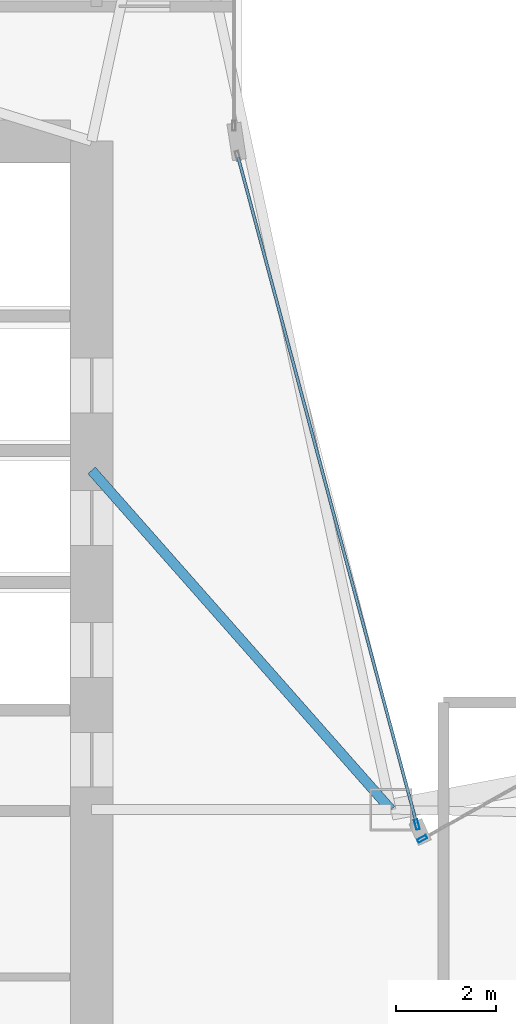
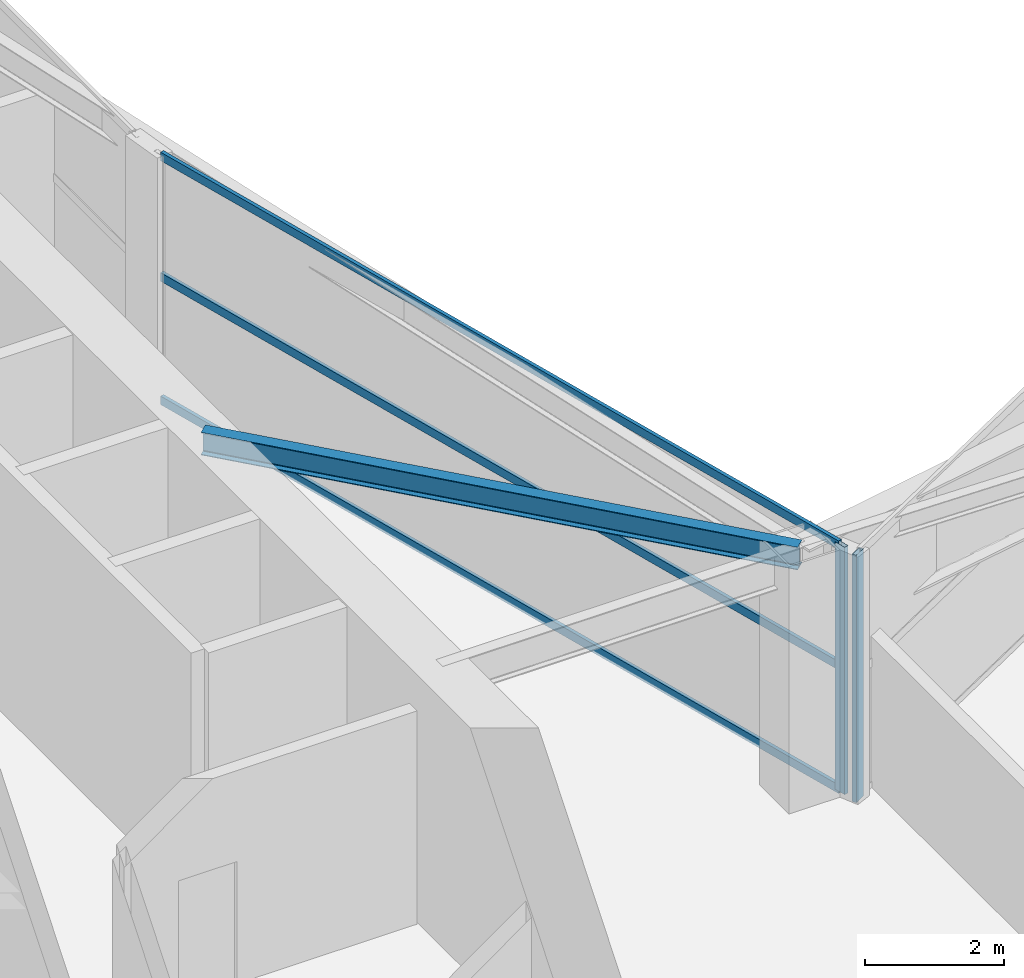
# One storey, part 2 of 17: 5 members, 1 beam, 2 elements without a shape of their own.
"""IFC4 building model written with IfcOpenShell, lengths in metres."""

from ifc_helpers import new_model, si_unit, direction, frame, origin, origin_2d, place, context, subcontext, project, spatial, hollow_rectangle, i_section, extrude, material, layer, layer_set, material_profile, profile_set, type_object, element, aggregate, save


model = new_model("IFC4")

# Units and contexts
model_context = context("Model", 3, precision=1e-05, world=origin(), true_north=direction((0.0, 1.0)))
body_context = subcontext(model_context, "Body", "Model", "MODEL_VIEW")
ifc_project = project(units=[si_unit("LENGTHUNIT", "METRE"), si_unit("AREAUNIT", "SQUARE_METRE"), si_unit("VOLUMEUNIT", "CUBIC_METRE"), si_unit("PLANEANGLEUNIT", "RADIAN"), si_unit("MASSUNIT", "GRAM", prefix="KILO")], contexts=[model_context])

# Site, building, storey
site_placement = place(None, origin())
site = spatial("IfcSite", under=ifc_project, at=site_placement, CompositionType="ELEMENT")
building_placement = place(site_placement, origin())
building = spatial("IfcBuilding", under=site, at=building_placement, Name="Calvorn Quay Hotel", CompositionType="ELEMENT")
storey_placement = place(building_placement, frame((0.0, 0.0, 186.5)))
storey = spatial("IfcBuildingStorey", under=building, at=storey_placement, Name="L46", CompositionType="ELEMENT", Elevation=186.5)

# Beam
ifc_material_1 = material(Name="Steel Q355B", Category="steel")
ifc_material_profile_1 = material_profile(ifc_material_1, i_section(OverallWidth=0.199951171875, OverallDepth=0.39990234375, WebThickness=0.008056640625, FlangeThickness=0.012939453125, FilletRadius=0.01611328125, at=origin_2d()), Name="HN400x200x8x13")
ifc_profile_set_1 = profile_set([ifc_material_profile_1], Name="Steel Q355B")
beam_type = type_object("IfcBeamType", Name="BM-JOIST-TYP", PredefinedType="JOIST", material=ifc_profile_set_1)
beam_placement = place(storey_placement, frame((15.0, 31.800048828125, 4.14990234375), z_axis=(0.661618965899, -0.749840212287, 0.0), x_axis=(0.749840212287, 0.661618965899, 0.0)))
element("IfcBeam", 1, at=beam_placement, inside=storey, type_object=beam_type, Name="Beam BJ-L46-C1", PredefinedType="JOIST", context=body_context, shape_type="SweptSolid", body=[
    extrude(i_section(OverallWidth=0.199951171875, OverallDepth=0.39990234375, WebThickness=0.008056640625, FlangeThickness=0.012939453125, FilletRadius=0.01611328125, at=origin_2d()), origin(), (0.0, 0.0, 1.0), 9.068603515625),
])

# Curtain wall, member
ifc_material_2 = material(Name="Pale Anodised Aluminium and Low-E Glass", Category="aluminium")
ifc_layer = layer(ifc_material_2, 0.219970703125)
ifc_layer_set = layer_set([ifc_layer], Name="CW-SYS-Z2")
curtain_wall_type = type_object("IfcCurtainWallType", Name="CW-SYS-Z2", PredefinedType="NOTDEFINED", material=ifc_layer_set)
curtain_wall_1_placement = place(storey_placement, origin())
curtain_wall_1 = element("IfcCurtainWall", 2, at=curtain_wall_1_placement, inside=storey, type_object=curtain_wall_type, Name="Inner Court Curtain Wall L46-NE1", PredefinedType="NOTDEFINED")
ifc_material_3 = material(Name="Pale Anodised Aluminium 6063-T6", Category="aluminium")
ifc_material_profile_2 = material_profile(ifc_material_3, hollow_rectangle(XDim=0.070068359375, YDim=0.199951171875, WallThickness=0.00390625, at=origin_2d()), Name="ALU-M200x70x4")
ifc_profile_set_2 = profile_set([ifc_material_profile_2], Name="Pale Anodised Aluminium 6063-T6")
member_type_1 = type_object("IfcMemberType", Name="CW-SYS-Z2-MUL", PredefinedType="MULLION", material=ifc_profile_set_2)
member_1_placement = place(storey_placement, frame((21.626220703125, 24.41455078125, 0.0), z_axis=(0.0, 0.0, 1.0), x_axis=(0.486858256224, -0.873480989116, 0.0)))
member_1 = element("IfcMember", 3, at=member_1_placement, type_object=member_type_1, Name="CW-L46-NE1 mullion 4", PredefinedType="MULLION", context=body_context, shape_type="SweptSolid", body=[
    extrude(hollow_rectangle(XDim=0.070068359375, YDim=0.199951171875, WallThickness=0.00390625, at=origin_2d()), origin(), (0.0, 0.0, 1.0), 4.35009765625),
])
aggregate(curtain_wall_1, [member_1])

# Curtain wall, members
curtain_wall_2_placement = place(storey_placement, origin())
curtain_wall_2 = element("IfcCurtainWall", 4, at=curtain_wall_2_placement, inside=storey, type_object=curtain_wall_type, Name="Inner Court Curtain Wall L46-IC1", PredefinedType="NOTDEFINED")
member_2_placement = place(storey_placement, frame((21.520263671875, 24.698974609375, 0.0), z_axis=(0.0, 0.0, 1.0), x_axis=(-0.96593652056, -0.25877913024, 0.0)))
member_2 = element("IfcMember", 5, at=member_2_placement, type_object=member_type_1, Name="CW-L46-IC1 mullion 1", PredefinedType="MULLION", context=body_context, shape_type="SweptSolid", body=[
    extrude(hollow_rectangle(XDim=0.070068359375, YDim=0.199951171875, WallThickness=0.00390625, at=origin_2d()), origin(), (0.0, 0.0, 1.0), 4.35009765625),
])
ifc_material_4 = material(Name="Pale Anodised Aluminium 6063-T6", Category="aluminium")
ifc_material_profile_3 = material_profile(ifc_material_4, hollow_rectangle(XDim=0.06005859375, YDim=0.14990234375, WallThickness=0.00341796875, at=origin_2d()), Name="ALU-T150x60x3.5")
ifc_profile_set_3 = profile_set([ifc_material_profile_3], Name="Pale Anodised Aluminium 6063-T6")
member_type_2 = type_object("IfcMemberType", Name="CW-SYS-Z2-TRN", PredefinedType="USERDEFINED", material=ifc_profile_set_3)
member_3_placement = place(storey_placement, frame((21.512451171875, 24.72802734375, 0.030029296875), z_axis=(-0.258781136883, 0.965935982969, 0.0), x_axis=(-0.965935982969, -0.258781136883, 0.0)))
member_3 = element("IfcMember", 6, at=member_3_placement, type_object=member_type_2, Name="CW-L46-IC1 transom 1.1", ObjectType="TRANSOM", PredefinedType="USERDEFINED", context=body_context, shape_type="SweptSolid", body=[
    extrude(hollow_rectangle(XDim=0.06005859375, YDim=0.14990234375, WallThickness=0.00341796875, at=origin_2d()), origin(), (0.0, 0.0, 1.0), 13.814453125),
])
member_4_placement = place(storey_placement, frame((21.512451171875, 24.72802734375, 2.199951171875), z_axis=(-0.258781136883, 0.965935982969, 0.0), x_axis=(-0.965935982969, -0.258781136883, 0.0)))
member_4 = element("IfcMember", 7, at=member_4_placement, type_object=member_type_2, Name="CW-L46-IC1 transom 1.2", ObjectType="TRANSOM", PredefinedType="USERDEFINED", context=body_context, shape_type="SweptSolid", body=[
    extrude(hollow_rectangle(XDim=0.06005859375, YDim=0.14990234375, WallThickness=0.00341796875, at=origin_2d()), origin(), (0.0, 0.0, 1.0), 13.814453125),
])
member_5_placement = place(storey_placement, frame((21.512451171875, 24.72802734375, 4.320068359375), z_axis=(-0.258781136883, 0.965935982969, 0.0), x_axis=(-0.965935982969, -0.258781136883, 0.0)))
member_5 = element("IfcMember", 8, at=member_5_placement, type_object=member_type_2, Name="CW-L46-IC1 transom 1.3", ObjectType="TRANSOM", PredefinedType="USERDEFINED", context=body_context, shape_type="SweptSolid", body=[
    extrude(hollow_rectangle(XDim=0.06005859375, YDim=0.14990234375, WallThickness=0.00341796875, at=origin_2d()), origin(), (0.0, 0.0, 1.0), 13.814453125),
])
aggregate(curtain_wall_2, [member_2, member_3, member_4, member_5])

save(model, "model.ifc")
